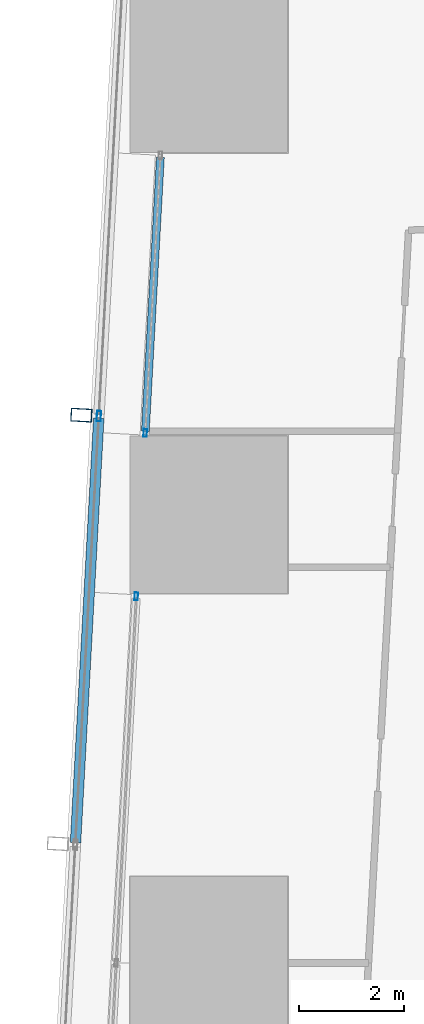
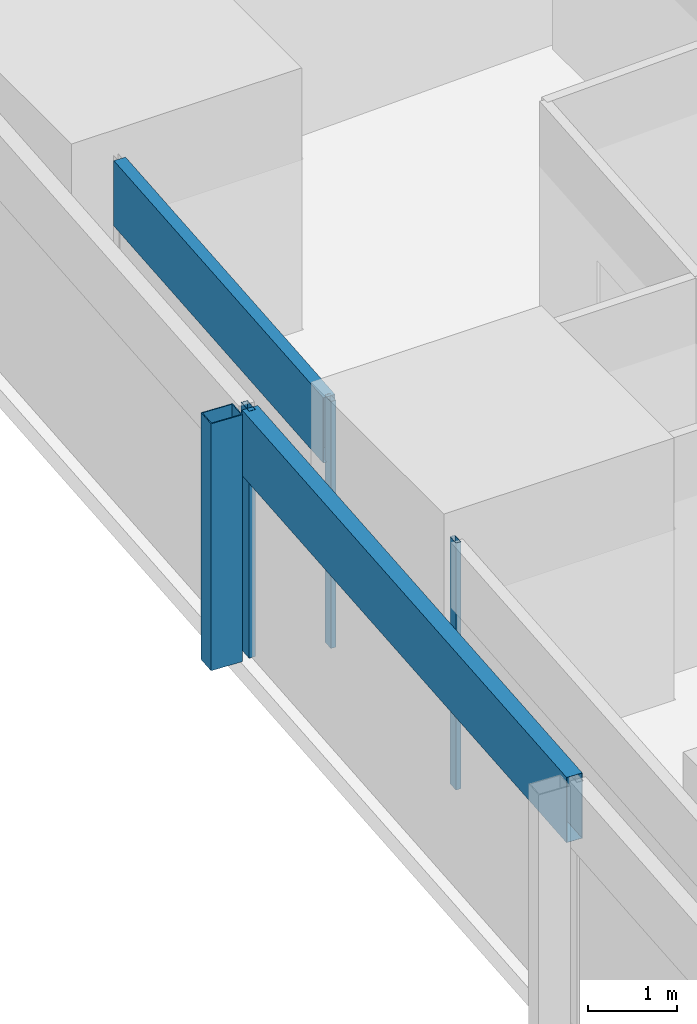
# One storey, part 14 of 38: 6 members, 3 elements without a shape of their own.
"""IFC4 building model written with IfcOpenShell, lengths in metres."""

from ifc_helpers import new_model, si_unit, direction, frame, origin, origin_2d, place, context, subcontext, project, spatial, hollow_rectangle, extrude, material, material_profile, profile_set, type_object, element, aggregate, save


model = new_model("IFC4")

# Units and contexts
model_context = context("Model", 3, precision=1e-05, world=origin(), true_north=direction((0.0, 1.0)))
body_context = subcontext(model_context, "Body", "Model", "MODEL_VIEW")
ifc_project = project(units=[si_unit("LENGTHUNIT", "METRE"), si_unit("AREAUNIT", "SQUARE_METRE"), si_unit("VOLUMEUNIT", "CUBIC_METRE"), si_unit("PLANEANGLEUNIT", "RADIAN"), si_unit("MASSUNIT", "GRAM", prefix="KILO")], contexts=[model_context])

# Site, building, storey
site_placement = place(None, origin())
site = spatial("IfcSite", under=ifc_project, at=site_placement, CompositionType="ELEMENT")
building_placement = place(site_placement, origin())
building = spatial("IfcBuilding", under=site, at=building_placement, Name="Rekha Terrace Tower", CompositionType="ELEMENT")
storey_placement = place(building_placement, frame((0.0, 0.0, 159.050048828125)))
storey = spatial("IfcBuildingStorey", under=building, at=storey_placement, Name="L40", CompositionType="ELEMENT", Elevation=159.050048828125)

# Curtain wall, member
ifc_material_1 = material(Name="Aluminium framing", Category="aluminium")
curtain_wall_type_1 = type_object("IfcCurtainWallType", Name="CW2 double skin outer glazing", PredefinedType="USERDEFINED", material=ifc_material_1)
curtain_wall_1_placement = place(storey_placement, origin())
curtain_wall_1 = element("IfcCurtainWall", 1, at=curtain_wall_1_placement, inside=storey, type_object=curtain_wall_type_1, Name="CW2 double skin outer glazing", ObjectType="DOUBLE SKIN OUTER GLAZING", PredefinedType="USERDEFINED")
ifc_material_2 = material(Name="Steel S355 with fluorocarbon finish", Category="steel")
ifc_material_profile_1 = material_profile(ifc_material_2, hollow_rectangle(XDim=0.25, YDim=0.39990234375, WallThickness=0.012451171875, at=origin_2d()), Name="RHS400x250x12.5")
ifc_profile_set_1 = profile_set([ifc_material_profile_1], Name="Steel S355 with fluorocarbon finish")
member_type_1 = type_object("IfcMemberType", Name="BL1 facade blade RHS 400 x 250", PredefinedType="USERDEFINED", material=ifc_profile_set_1)
member_1_placement = place(storey_placement, frame((5.969482421875, 52.29638671875, 0.0), z_axis=(0.0, 0.0, 1.0), x_axis=(-0.054742798353, -0.998500488747, 0.0)))
member_1 = element("IfcMember", 2, at=member_1_placement, type_object=member_type_1, Name="Facade blade", ObjectType="FACADE BLADE", PredefinedType="USERDEFINED", context=body_context, shape_type="SweptSolid", body=[
    extrude(hollow_rectangle(XDim=0.25, YDim=0.39990234375, WallThickness=0.012451171875, at=origin_2d()), origin(), (0.0, 0.0, 1.0), 3.39990234375),
])

curtain_wall_type_2 = type_object("IfcCurtainWallType", Name="CW1 double skin inner glazing", PredefinedType="USERDEFINED", material=ifc_material_1)
curtain_wall_2_placement = place(storey_placement, origin())
curtain_wall_2 = element("IfcCurtainWall", 3, at=curtain_wall_2_placement, inside=storey, type_object=curtain_wall_type_2, Name="CW1 double skin inner glazing", ObjectType="DOUBLE SKIN INNER GLAZING", PredefinedType="USERDEFINED")
ifc_material_3 = material(Name="Aluminium mullion section", Category="aluminium")
ifc_material_profile_2 = material_profile(ifc_material_3, hollow_rectangle(XDim=0.06494140625, YDim=0.14990234375, WallThickness=0.00390625, at=origin_2d()), Name="AL RHS 65x150")
ifc_profile_set_2 = profile_set([ifc_material_profile_2], Name="Aluminium mullion section")
member_type_2 = type_object("IfcMemberType", Name="CW1 mullion RHS 65 x 150", PredefinedType="MULLION", material=ifc_profile_set_2)
member_2_placement = place(storey_placement, frame((7.187744140625, 51.95751953125, 0.0), z_axis=(0.0, 0.0, 1.0), x_axis=(0.998500513176, -0.054742352777, 0.0)))
member_2 = element("IfcMember", 4, at=member_2_placement, type_object=member_type_2, Name="CW1 mullion 2", PredefinedType="MULLION", context=body_context, shape_type="SweptSolid", body=[
    extrude(hollow_rectangle(XDim=0.06494140625, YDim=0.14990234375, WallThickness=0.00390625, at=origin_2d()), origin(), (0.0, 0.0, 1.0), 3.39990234375),
])

curtain_wall_3_placement = place(storey_placement, origin())
curtain_wall_3 = element("IfcCurtainWall", 5, at=curtain_wall_3_placement, inside=storey, type_object=curtain_wall_type_2, Name="CW1 double skin inner glazing", ObjectType="DOUBLE SKIN INNER GLAZING", PredefinedType="USERDEFINED")
member_3_placement = place(storey_placement, frame((7.01708984375, 48.84228515625, 0.0), z_axis=(0.0, 0.0, 1.0), x_axis=(0.998500513181, -0.05474235269, 0.0)))
member_3 = element("IfcMember", 6, at=member_3_placement, type_object=member_type_2, Name="CW1 mullion 1", PredefinedType="MULLION", context=body_context, shape_type="SweptSolid", body=[
    extrude(hollow_rectangle(XDim=0.06494140625, YDim=0.14990234375, WallThickness=0.00390625, at=origin_2d()), origin(), (0.0, 0.0, 1.0), 3.39990234375),
])
aggregate(curtain_wall_3, [member_3])

# Member
ifc_material_4 = material(Name="Insulated aluminium spandrel box", Category="aluminium")
ifc_material_profile_3 = material_profile(ifc_material_4, hollow_rectangle(XDim=0.14990234375, YDim=0.89990234375, WallThickness=0.0029296875, at=origin_2d()), Name="AL SPANDREL BOX 150x900")
ifc_profile_set_3 = profile_set([ifc_material_profile_3], Name="Insulated aluminium spandrel box")
member_type_3 = type_object("IfcMemberType", Name="CW1 spandrel transom 150 x 900", PredefinedType="USERDEFINED", material=ifc_profile_set_3)
member_4_placement = place(storey_placement, frame((7.475830078125, 57.2099609375, 2.949951171875), z_axis=(-0.054779417126, -0.998498480449, 0.0), x_axis=(0.998498480449, -0.054779417126, 0.0)))
member_4 = element("IfcMember", 7, at=member_4_placement, type_object=member_type_3, Name="CW1 spandrel transom 1", ObjectType="TRANSOM", PredefinedType="USERDEFINED", context=body_context, shape_type="SweptSolid", body=[
    extrude(hollow_rectangle(XDim=0.14990234375, YDim=0.89990234375, WallThickness=0.0029296875, at=origin_2d()), origin(), (0.0, 0.0, 1.0), 5.227783203125),
])

aggregate(curtain_wall_2, [member_2, member_4])

ifc_material_profile_4 = material_profile(ifc_material_3, hollow_rectangle(XDim=0.080078125, YDim=0.199951171875, WallThickness=0.00390625, at=origin_2d()), Name="AL RHS 80x200")
ifc_profile_set_4 = profile_set([ifc_material_profile_4], Name="Aluminium mullion section")
member_type_4 = type_object("IfcMemberType", Name="CW2 mullion RHS 80 x 200", PredefinedType="MULLION", material=ifc_profile_set_4)
member_5_placement = place(storey_placement, frame((6.303955078125, 52.278076171875, 0.0), z_axis=(0.0, 0.0, 1.0), x_axis=(0.99850051318, -0.054742352707, 0.0)))
member_5 = element("IfcMember", 8, at=member_5_placement, type_object=member_type_4, Name="CW2 mullion 2", PredefinedType="MULLION", context=body_context, shape_type="SweptSolid", body=[
    extrude(hollow_rectangle(XDim=0.080078125, YDim=0.199951171875, WallThickness=0.00390625, at=origin_2d()), origin(), (0.0, 0.0, 1.0), 3.39990234375),
])

ifc_material_profile_5 = material_profile(ifc_material_4, hollow_rectangle(XDim=0.199951171875, YDim=0.89990234375, WallThickness=0.0029296875, at=origin_2d()), Name="AL SPANDREL BOX 200x900")
ifc_profile_set_5 = profile_set([ifc_material_profile_5], Name="Insulated aluminium spandrel box")
member_type_5 = type_object("IfcMemberType", Name="CW2 spandrel transom 200 x 900", PredefinedType="USERDEFINED", material=ifc_profile_set_5)
member_6_placement = place(storey_placement, frame((6.3017578125, 52.23828125, 2.949951171875), z_axis=(-0.054735499102, -0.998500888902, 0.0), x_axis=(0.998500888902, -0.054735499102, 0.0)))
member_6 = element("IfcMember", 9, at=member_6_placement, type_object=member_type_5, Name="CW2 spandrel transom 2", ObjectType="TRANSOM", PredefinedType="USERDEFINED", context=body_context, shape_type="SweptSolid", body=[
    extrude(hollow_rectangle(XDim=0.199951171875, YDim=0.89990234375, WallThickness=0.0029296875, at=origin_2d()), origin(), (0.0, 0.0, 1.0), 8.10009765625),
])

aggregate(curtain_wall_1, [member_5, member_6, member_1])

save(model, "model.ifc")
